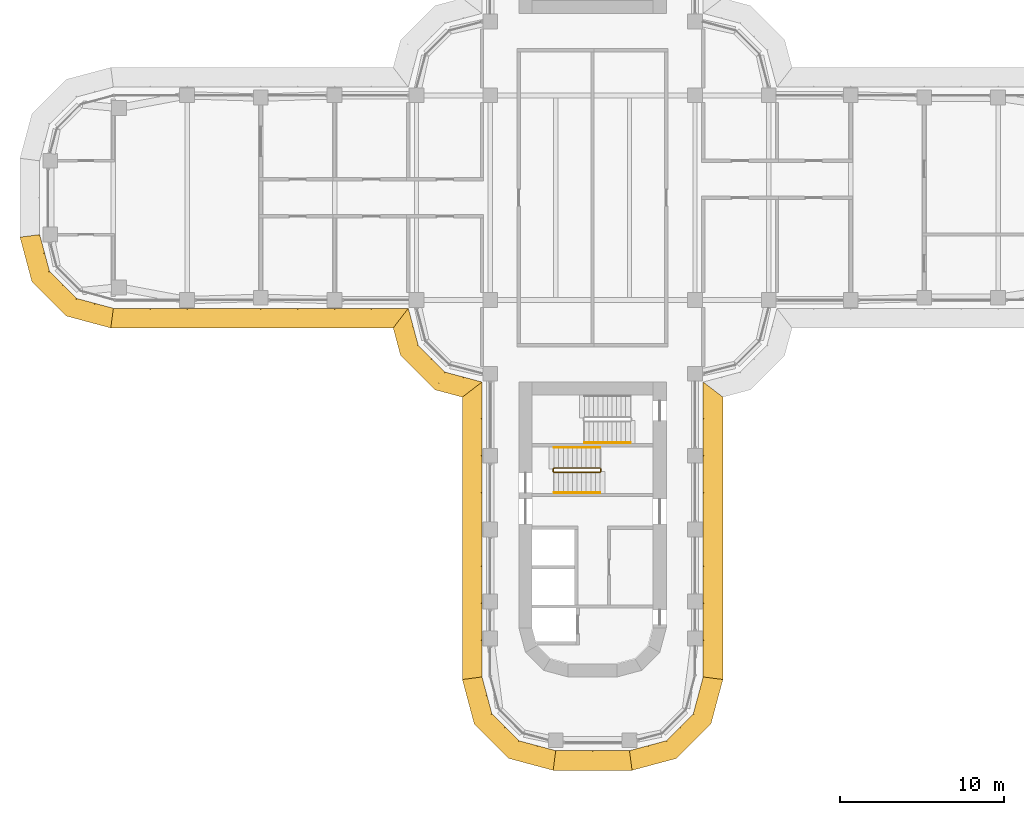
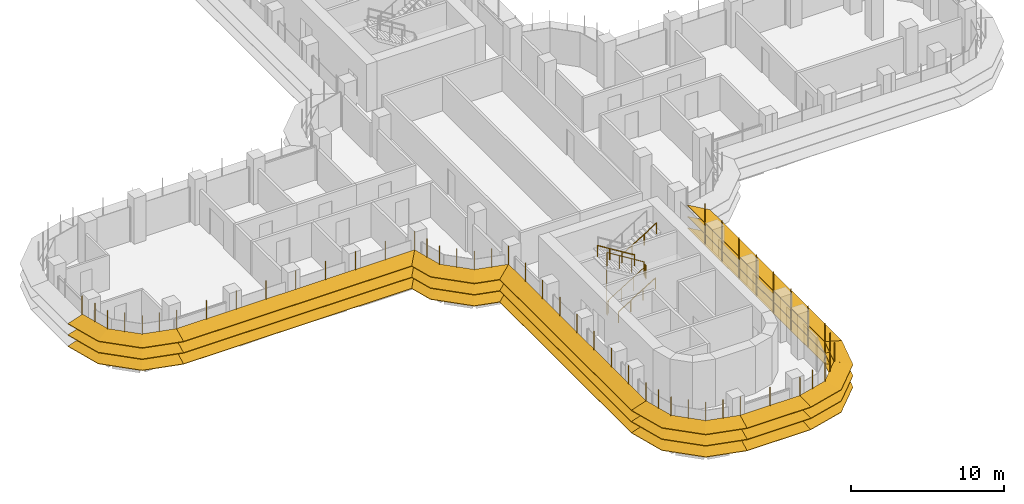
# One storey, part 20 of 23: 8 shading devices, 4 railings.
"""IFC4 building model written with IfcOpenShell, lengths in metres."""

from ifc_helpers import new_model, si_unit, direction, frame, origin, origin_2d, place, context, subcontext, project, spatial, polyline, circle, outline, extrude, faceted_brep, source, transform, mapped, material, type_object, element, save


model = new_model("IFC4")

# Units and contexts
model_context = context("Model", 3, precision=1e-05, world=origin(), true_north=direction((0.0, 1.0)))
body_context = subcontext(model_context, "Body", "Model", "MODEL_VIEW")
ifc_project = project(units=[si_unit("LENGTHUNIT", "METRE"), si_unit("AREAUNIT", "SQUARE_METRE"), si_unit("VOLUMEUNIT", "CUBIC_METRE"), si_unit("PLANEANGLEUNIT", "RADIAN"), si_unit("MASSUNIT", "GRAM", prefix="KILO")], contexts=[model_context])

# Site, building, storey
site_placement = place(None, origin())
site = spatial("IfcSite", under=ifc_project, at=site_placement, CompositionType="ELEMENT")
building_placement = place(site_placement, origin())
building = spatial("IfcBuilding", under=site, at=building_placement, Name="Zarbagh Exchange Tower", CompositionType="ELEMENT")
storey_placement = place(building_placement, frame((0.0, 0.0, 90.39990234375)))
storey = spatial("IfcBuildingStorey", under=building, at=storey_placement, Name="L20", CompositionType="ELEMENT", Elevation=90.39990234375)

# Railings
ifc_material_1 = material(Name="Stainless steel", Category="steel")
railing_type_1 = type_object("IfcRailingType", Name="Stair guard 1100 mm", PredefinedType="GUARDRAIL", material=ifc_material_1)
railing_1_placement = place(storey_placement, frame((0.449951171875, -16.5, 2.07275390625)))
element("IfcRailing", 1, at=railing_1_placement, inside=storey, type_object=railing_type_1, Name="ST3 stair guard 1", PredefinedType="GUARDRAIL", context=body_context, shape_type="SweptSolid", body=[
    extrude(circle(Radius=0.02392578125, at=origin_2d()), frame((0.0, 0.0, 1.076171875), z_axis=(-0.851089632645, 0.0, 0.525020415988), x_axis=(0.0, -1.0, 0.0)), (0.0, 0.0, 1.0), 3.2900390625),
    extrude(circle(Radius=0.02392578125, at=origin_2d()), frame((-2.800048828125, 0.0, 2.80322265625), z_axis=(-0.013104066473, -0.013168302093, -0.99982742474), x_axis=(0.708833529934, -0.705375805398, 0.0)), (0.0, 0.0, 1.0), 3.80078125),
    extrude(circle(Radius=0.02392578125, at=origin_2d()), frame((-2.849853515625, -0.050048828125, -0.99658203125), z_axis=(0.0, -1.0, 0.0), x_axis=(1.0, 0.0, 0.0)), (0.0, 0.0, 1.0), 0.14990234375),
    extrude(circle(Radius=0.02392578125, at=origin_2d()), frame((-2.849853515625, -0.199951171875, -0.99658203125), z_axis=(0.266739603011, -0.268047150085, 0.925743328097), x_axis=(0.708833529934, 0.705375805398, 0.0)), (0.0, 0.0, 1.0), 0.186767578125),
    extrude(circle(Radius=0.02392578125, at=origin_2d()), frame((-2.800048828125, -0.25, -0.82373046875), z_axis=(0.851089632645, 0.0, 0.525020415988), x_axis=(0.0, 1.0, 0.0)), (0.0, 0.0, 1.0), 3.2900390625),
    extrude(circle(Radius=0.02392578125, at=origin_2d()), frame((0.0, -0.25, 0.9033203125), z_axis=(0.707106781187, 0.707106781187, 0.0), x_axis=(-0.707106781187, 0.707106781187, 0.0)), (0.0, 0.0, 1.0), 0.07080078125),
    extrude(circle(Radius=0.02392578125, at=origin_2d()), frame((0.050048828125, -0.199951171875, 0.9033203125), z_axis=(0.0, 1.0, 0.0), x_axis=(-1.0, 0.0, 0.0)), (0.0, 0.0, 1.0), 0.14990234375),
    extrude(circle(Radius=0.02099609375, at=origin_2d()), origin(), (0.0, 0.0, 1.0), 1.052001953125),
    extrude(circle(Radius=0.02099609375, at=origin_2d()), frame((-0.933349609375, 0.0, 0.57568359375)), (0.0, 0.0, 1.0), 1.052001953125),
    extrude(circle(Radius=0.02099609375, at=origin_2d()), frame((-1.86669921875, 0.0, 1.151611328125)), (0.0, 0.0, 1.0), 1.052001953125),
    extrude(circle(Radius=0.02099609375, at=origin_2d()), frame((-2.800048828125, 0.0, 1.727294921875)), (0.0, 0.0, 1.0), 1.052001953125),
    extrude(circle(Radius=0.02099609375, at=origin_2d()), frame((-2.8125, -0.012451171875, 0.77734375)), (0.0, 0.0, 1.0), 1.052001953125),
    extrude(circle(Radius=0.02099609375, at=origin_2d()), frame((-2.824951171875, -0.02490234375, -0.1728515625)), (0.0, 0.0, 1.0), 1.052001953125),
    extrude(circle(Radius=0.02099609375, at=origin_2d()), frame((-2.83740234375, -0.03759765625, -1.122802734375)), (0.0, 0.0, 1.0), 1.052001953125),
    extrude(circle(Radius=0.02099609375, at=origin_2d()), frame((-2.849853515625, -0.050048828125, -2.07275390625)), (0.0, 0.0, 1.0), 1.052001953125),
    extrude(circle(Radius=0.02099609375, at=origin_2d()), frame((-2.849853515625, -0.199951171875, -2.07275390625)), (0.0, 0.0, 1.0), 1.052001953125),
    extrude(circle(Radius=0.02099609375, at=origin_2d()), frame((-2.800048828125, -0.25, -1.89990234375)), (0.0, 0.0, 1.0), 1.052001953125),
    extrude(circle(Radius=0.02099609375, at=origin_2d()), frame((-1.86669921875, -0.25, -1.32421875)), (0.0, 0.0, 1.0), 1.052001953125),
    extrude(circle(Radius=0.02099609375, at=origin_2d()), frame((-0.933349609375, -0.25, -0.748291015625)), (0.0, 0.0, 1.0), 1.052001953125),
    extrude(circle(Radius=0.02099609375, at=origin_2d()), frame((0.0, -0.25, -0.172607421875)), (0.0, 0.0, 1.0), 1.052001953125),
    extrude(circle(Radius=0.02099609375, at=origin_2d()), frame((0.050048828125, -0.199951171875, -0.172607421875)), (0.0, 0.0, 1.0), 1.052001953125),
    extrude(circle(Radius=0.02099609375, at=origin_2d()), frame((0.050048828125, -0.050048828125, -0.172607421875)), (0.0, 0.0, 1.0), 1.052001953125),
])
railing_type_2 = type_object("IfcRailingType", Name="Stair handrail 900 mm", PredefinedType="HANDRAIL", material=ifc_material_1)
railing_2_placement = place(storey_placement, frame((-2.35009765625, -18.0, 0.1728515625)))
element("IfcRailing", 2, at=railing_2_placement, inside=storey, type_object=railing_type_2, Name="ST3 stair handrail 1", PredefinedType="HANDRAIL", context=body_context, shape_type="SweptSolid", body=[
    extrude(circle(Radius=0.02392578125, at=origin_2d()), frame((0.0, 0.0, 0.8759765625), z_axis=(0.851089632645, 0.0, 0.525020415988), x_axis=(0.0, 1.0, 0.0)), (0.0, 0.0, 1.0), 3.2900390625),
    extrude(circle(Radius=0.02099609375, at=origin_2d()), origin(), (0.0, 0.0, 1.0), 0.851806640625),
    extrude(circle(Radius=0.02099609375, at=origin_2d()), frame((0.933349609375, 0.0, 0.57568359375)), (0.0, 0.0, 1.0), 0.851806640625),
    extrude(circle(Radius=0.02099609375, at=origin_2d()), frame((1.86669921875, 0.0, 1.151611328125)), (0.0, 0.0, 1.0), 0.851806640625),
    extrude(circle(Radius=0.02099609375, at=origin_2d()), frame((2.800048828125, 0.0, 1.727294921875)), (0.0, 0.0, 1.0), 0.851806640625),
])
railing_3_placement = place(storey_placement, frame((0.449951171875, -15.25, 2.07275390625)))
element("IfcRailing", 3, at=railing_3_placement, inside=storey, type_object=railing_type_2, Name="ST3 stair handrail 2", PredefinedType="HANDRAIL", context=body_context, shape_type="SweptSolid", body=[
    extrude(circle(Radius=0.02392578125, at=origin_2d()), frame((0.0, 0.0, 0.8759765625), z_axis=(-0.851089632645, 0.0, 0.525020415988), x_axis=(0.0, -1.0, 0.0)), (0.0, 0.0, 1.0), 3.2900390625),
    extrude(circle(Radius=0.02099609375, at=origin_2d()), origin(), (0.0, 0.0, 1.0), 0.851806640625),
    extrude(circle(Radius=0.02099609375, at=origin_2d()), frame((-0.933349609375, 0.0, 0.57568359375)), (0.0, 0.0, 1.0), 0.851806640625),
    extrude(circle(Radius=0.02099609375, at=origin_2d()), frame((-1.86669921875, 0.0, 1.151611328125)), (0.0, 0.0, 1.0), 0.851806640625),
    extrude(circle(Radius=0.02099609375, at=origin_2d()), frame((-2.800048828125, 0.0, 1.727294921875)), (0.0, 0.0, 1.0), 0.851806640625),
])
railing_4_placement = place(storey_placement, frame((-0.5, -14.949951171875, 2.07275390625)))
element("IfcRailing", 4, at=railing_4_placement, inside=storey, type_object=railing_type_2, Name="ST4 stair handrail 2", PredefinedType="HANDRAIL", context=body_context, shape_type="SweptSolid", body=[
    extrude(circle(Radius=0.02392578125, at=origin_2d()), frame((0.0, 0.0, 0.8759765625), z_axis=(0.851089632645, 0.0, 0.525020415988), x_axis=(0.0, 1.0, 0.0)), (0.0, 0.0, 1.0), 3.2900390625),
    extrude(circle(Radius=0.02099609375, at=origin_2d()), origin(), (0.0, 0.0, 1.0), 0.851806640625),
    extrude(circle(Radius=0.02099609375, at=origin_2d()), frame((0.933349609375, 0.0, 0.57568359375)), (0.0, 0.0, 1.0), 0.851806640625),
    extrude(circle(Radius=0.02099609375, at=origin_2d()), frame((1.86669921875, 0.0, 1.151611328125)), (0.0, 0.0, 1.0), 0.851806640625),
    extrude(circle(Radius=0.02099609375, at=origin_2d()), frame((2.800048828125, 0.0, 1.727294921875)), (0.0, 0.0, 1.0), 0.851806640625),
])

# Shading devices
ifc_material_2 = material(Name="Anodised aluminium blades and brackets", Category="aluminium")
shading_device_type = type_object("IfcShadingDeviceType", Name="SUNSHADE louvre band, 11.25 degree blades", PredefinedType="JALOUSIE", material=ifc_material_2)
shared_shape_1 = source(origin(), body_context, "Body", "Brep", [
    faceted_brep([(0.0, 0.0, 0.0), (0.0, 0.0, -0.040771484375), (-0.157958984375, -1.199951171875, -0.279541015625), (-0.157958984375, -1.199951171875, -0.23876953125), (2.65087890625, -1.199951171875, -0.23876953125), (2.65087890625, -1.199951171875, -0.279541015625), (2.329345703125, 0.0, -0.040771484375), (2.329345703125, 0.0, 0.0)], [[[0, 1, 2, 3]], [[4, 5, 6, 7]], [[0, 7, 6, 1]], [[1, 6, 5, 2]], [[2, 5, 4, 3]], [[3, 4, 7, 0]]]),
])
shared_shape_2 = source(origin(), body_context, "Body", "Brep", [
    faceted_brep([(0.0, 0.0, 0.0), (0.0, 0.0, -0.040771484375), (-0.321533203125, -1.199951171875, -0.279541015625), (-0.321533203125, -1.199951171875, -0.23876953125), (2.65087890625, -1.199951171875, -0.23876953125), (2.65087890625, -1.199951171875, -0.279541015625), (2.329345703125, 0.0, -0.040771484375), (2.329345703125, 0.0, 0.0)], [[[0, 1, 2, 3]], [[4, 5, 6, 7]], [[0, 7, 6, 1]], [[1, 6, 5, 2]], [[2, 5, 4, 3]], [[3, 4, 7, 0]]]),
])
shared_shape_3 = source(origin(), body_context, "Body", "Brep", [
    faceted_brep([(0.0, 0.0, 0.0), (0.0, 0.0, -0.040771484375), (-0.321533203125, -1.199951171875, -0.279541015625), (-0.321533203125, -1.199951171875, -0.23876953125), (2.4873046875, -1.199951171875, -0.23876953125), (2.4873046875, -1.199951171875, -0.279541015625), (2.329345703125, 0.0, -0.040771484375), (2.329345703125, 0.0, 0.0)], [[[0, 1, 2, 3]], [[4, 5, 6, 7]], [[0, 7, 6, 1]], [[1, 6, 5, 2]], [[2, 5, 4, 3]], [[3, 4, 7, 0]]]),
])
shared_shape_4 = source(origin(), body_context, "Body", "SweptSolid", [
    extrude(outline(polyline([(0.0, -0.012451171875), (0.06005859375, -0.012451171875), (0.06005859375, 0.012451171875), (0.0, 0.012451171875), (0.0, -0.012451171875)])), origin(), (0.0, 0.0, 1.0), 3.350830078125),
])
placement = place(storey_placement, origin())
element("IfcShadingDevice", 5, at=placement, inside=storey, type_object=shading_device_type, Name="SS01 sunshade band", PredefinedType="JALOUSIE", context=body_context, shape_type="MappedRepresentation", body=[
    mapped(shared_shape_1, transform((2.25, -33.75, 2.300048828125), x_axis=(0.965924289636, 0.258824779902, 0.0), y_axis=(-0.258824779902, 0.965924289636, 0.0), z_axis=(0.0, 0.0, 1.0))),
    mapped(shared_shape_1, transform((2.25, -33.75, 1.400146484375), x_axis=(0.965924289636, 0.258824779902, 0.0), y_axis=(-0.258824779902, 0.965924289636, 0.0), z_axis=(0.0, 0.0, 1.0))),
    mapped(shared_shape_1, transform((2.25, -33.75, 0.5), x_axis=(0.965924289636, 0.258824779902, 0.0), y_axis=(-0.258824779902, 0.965924289636, 0.0), z_axis=(0.0, 0.0, 1.0))),
    mapped(shared_shape_2, transform((4.5, -33.147216796875, 2.300048828125), x_axis=(0.707106781187, 0.707106781187, 0.0), y_axis=(-0.707106781187, 0.707106781187, 0.0), z_axis=(0.0, 0.0, 1.0))),
    mapped(shared_shape_2, transform((4.5, -33.147216796875, 1.400146484375), x_axis=(0.707106781187, 0.707106781187, 0.0), y_axis=(-0.707106781187, 0.707106781187, 0.0), z_axis=(0.0, 0.0, 1.0))),
    mapped(shared_shape_2, transform((4.5, -33.147216796875, 0.5), x_axis=(0.707106781187, 0.707106781187, 0.0), y_axis=(-0.707106781187, 0.707106781187, 0.0), z_axis=(0.0, 0.0, 1.0))),
    mapped(shared_shape_3, transform((6.147216796875, -31.5, 2.300048828125), x_axis=(0.258824779902, 0.965924289636, 0.0), y_axis=(-0.965924289636, 0.258824779902, 0.0), z_axis=(0.0, 0.0, 1.0))),
    mapped(shared_shape_3, transform((6.147216796875, -31.5, 1.400146484375), x_axis=(0.258824779902, 0.965924289636, 0.0), y_axis=(-0.965924289636, 0.258824779902, 0.0), z_axis=(0.0, 0.0, 1.0))),
    mapped(shared_shape_3, transform((6.147216796875, -31.5, 0.5), x_axis=(0.258824779902, 0.965924289636, 0.0), y_axis=(-0.965924289636, 0.258824779902, 0.0), z_axis=(0.0, 0.0, 1.0))),
    mapped(shared_shape_4, transform((2.25, -33.75, 0.42919921875), x_axis=(0.130529263012, -0.991444457092, 0.0), y_axis=(0.991444457092, 0.130529263012, 0.0), z_axis=(0.0, 0.0, 1.0))),
    mapped(shared_shape_4, transform((3.375, -33.448486328125, 0.42919921875), x_axis=(0.258825058029, -0.96592421511, 0.0), y_axis=(0.96592421511, 0.258825058029, 0.0), z_axis=(0.0, 0.0, 1.0))),
    mapped(shared_shape_4, transform((4.5, -33.147216796875, 0.42919921875), x_axis=(0.50000275701, -0.866023812018, 0.0), y_axis=(0.866023812018, 0.50000275701, 0.0), z_axis=(0.0, 0.0, 1.0))),
    mapped(shared_shape_4, transform((5.323486328125, -32.323486328125, 0.42919921875), x_axis=(0.707106781187, -0.707106781187, 0.0), y_axis=(0.707106781187, 0.707106781187, 0.0), z_axis=(0.0, 0.0, 1.0))),
    mapped(shared_shape_4, transform((6.147216796875, -31.5, 0.42919921875), x_axis=(0.866023812018, -0.50000275701, 0.0), y_axis=(0.50000275701, 0.866023812018, 0.0), z_axis=(0.0, 0.0, 1.0))),
    mapped(shared_shape_4, transform((6.448486328125, -30.375, 0.42919921875), x_axis=(0.96592421511, -0.258825058029, 0.0), y_axis=(0.258825058029, 0.96592421511, 0.0), z_axis=(0.0, 0.0, 1.0))),
])
element("IfcShadingDevice", 6, at=placement, inside=storey, type_object=shading_device_type, Name="SS19 sunshade band", PredefinedType="JALOUSIE", context=body_context, shape_type="MappedRepresentation", body=[
    mapped(shared_shape_1, transform((-33.75, -2.25, 2.300048828125), x_axis=(0.258824779902, -0.965924289636, 0.0), y_axis=(0.965924289636, 0.258824779902, 0.0), z_axis=(0.0, 0.0, 1.0))),
    mapped(shared_shape_1, transform((-33.75, -2.25, 1.400146484375), x_axis=(0.258824779902, -0.965924289636, 0.0), y_axis=(0.965924289636, 0.258824779902, 0.0), z_axis=(0.0, 0.0, 1.0))),
    mapped(shared_shape_1, transform((-33.75, -2.25, 0.5), x_axis=(0.258824779902, -0.965924289636, 0.0), y_axis=(0.965924289636, 0.258824779902, 0.0), z_axis=(0.0, 0.0, 1.0))),
    mapped(shared_shape_2, transform((-33.147216796875, -4.5, 2.300048828125), x_axis=(0.707106781187, -0.707106781187, 0.0), y_axis=(0.707106781187, 0.707106781187, 0.0), z_axis=(0.0, 0.0, 1.0))),
    mapped(shared_shape_2, transform((-33.147216796875, -4.5, 1.400146484375), x_axis=(0.707106781187, -0.707106781187, 0.0), y_axis=(0.707106781187, 0.707106781187, 0.0), z_axis=(0.0, 0.0, 1.0))),
    mapped(shared_shape_2, transform((-33.147216796875, -4.5, 0.5), x_axis=(0.707106781187, -0.707106781187, 0.0), y_axis=(0.707106781187, 0.707106781187, 0.0), z_axis=(0.0, 0.0, 1.0))),
    mapped(shared_shape_3, transform((-31.5, -6.147216796875, 2.300048828125), x_axis=(0.965924289636, -0.258824779902, 0.0), y_axis=(0.258824779902, 0.965924289636, 0.0), z_axis=(0.0, 0.0, 1.0))),
    mapped(shared_shape_3, transform((-31.5, -6.147216796875, 1.400146484375), x_axis=(0.965924289636, -0.258824779902, 0.0), y_axis=(0.258824779902, 0.965924289636, 0.0), z_axis=(0.0, 0.0, 1.0))),
    mapped(shared_shape_3, transform((-31.5, -6.147216796875, 0.5), x_axis=(0.965924289636, -0.258824779902, 0.0), y_axis=(0.258824779902, 0.965924289636, 0.0), z_axis=(0.0, 0.0, 1.0))),
    mapped(shared_shape_4, transform((-33.75, -2.25, 0.42919921875), x_axis=(-0.991444457092, -0.130529263012, 0.0), y_axis=(0.130529263012, -0.991444457092, 0.0), z_axis=(0.0, 0.0, 1.0))),
    mapped(shared_shape_4, transform((-33.448486328125, -3.375, 0.42919921875), x_axis=(-0.96592421511, -0.258825058029, 0.0), y_axis=(0.258825058029, -0.96592421511, 0.0), z_axis=(0.0, 0.0, 1.0))),
    mapped(shared_shape_4, transform((-33.147216796875, -4.5, 0.42919921875), x_axis=(-0.866023812018, -0.50000275701, 0.0), y_axis=(0.50000275701, -0.866023812018, 0.0), z_axis=(0.0, 0.0, 1.0))),
    mapped(shared_shape_4, transform((-32.323486328125, -5.323486328125, 0.42919921875), x_axis=(-0.707106781187, -0.707106781187, 0.0), y_axis=(0.707106781187, -0.707106781187, 0.0), z_axis=(0.0, 0.0, 1.0))),
    mapped(shared_shape_4, transform((-31.5, -6.147216796875, 0.42919921875), x_axis=(-0.50000275701, -0.866023812018, 0.0), y_axis=(0.866023812018, -0.50000275701, 0.0), z_axis=(0.0, 0.0, 1.0))),
    mapped(shared_shape_4, transform((-30.375, -6.448486328125, 0.42919921875), x_axis=(-0.258825058029, -0.96592421511, 0.0), y_axis=(0.96592421511, -0.258825058029, 0.0), z_axis=(0.0, 0.0, 1.0))),
])
element("IfcShadingDevice", 7, at=placement, inside=storey, type_object=shading_device_type, Name="SS23 sunshade band", PredefinedType="JALOUSIE", context=body_context, shape_type="MappedRepresentation", body=[
    mapped(shared_shape_1, transform((-6.75, -29.25, 2.300048828125), x_axis=(0.258824779902, -0.965924289636, 0.0), y_axis=(0.965924289636, 0.258824779902, 0.0), z_axis=(0.0, 0.0, 1.0))),
    mapped(shared_shape_1, transform((-6.75, -29.25, 1.400146484375), x_axis=(0.258824779902, -0.965924289636, 0.0), y_axis=(0.965924289636, 0.258824779902, 0.0), z_axis=(0.0, 0.0, 1.0))),
    mapped(shared_shape_1, transform((-6.75, -29.25, 0.5), x_axis=(0.258824779902, -0.965924289636, 0.0), y_axis=(0.965924289636, 0.258824779902, 0.0), z_axis=(0.0, 0.0, 1.0))),
    mapped(shared_shape_2, transform((-6.147216796875, -31.5, 2.300048828125), x_axis=(0.707106781187, -0.707106781187, 0.0), y_axis=(0.707106781187, 0.707106781187, 0.0), z_axis=(0.0, 0.0, 1.0))),
    mapped(shared_shape_2, transform((-6.147216796875, -31.5, 1.400146484375), x_axis=(0.707106781187, -0.707106781187, 0.0), y_axis=(0.707106781187, 0.707106781187, 0.0), z_axis=(0.0, 0.0, 1.0))),
    mapped(shared_shape_2, transform((-6.147216796875, -31.5, 0.5), x_axis=(0.707106781187, -0.707106781187, 0.0), y_axis=(0.707106781187, 0.707106781187, 0.0), z_axis=(0.0, 0.0, 1.0))),
    mapped(shared_shape_3, transform((-4.5, -33.147216796875, 2.300048828125), x_axis=(0.965924289636, -0.258824779902, 0.0), y_axis=(0.258824779902, 0.965924289636, 0.0), z_axis=(0.0, 0.0, 1.0))),
    mapped(shared_shape_3, transform((-4.5, -33.147216796875, 1.400146484375), x_axis=(0.965924289636, -0.258824779902, 0.0), y_axis=(0.258824779902, 0.965924289636, 0.0), z_axis=(0.0, 0.0, 1.0))),
    mapped(shared_shape_3, transform((-4.5, -33.147216796875, 0.5), x_axis=(0.965924289636, -0.258824779902, 0.0), y_axis=(0.258824779902, 0.965924289636, 0.0), z_axis=(0.0, 0.0, 1.0))),
    mapped(shared_shape_4, transform((-6.75, -29.25, 0.42919921875), x_axis=(-0.991444457092, -0.130529263012, 0.0), y_axis=(0.130529263012, -0.991444457092, 0.0), z_axis=(0.0, 0.0, 1.0))),
    mapped(shared_shape_4, transform((-6.448486328125, -30.375, 0.42919921875), x_axis=(-0.96592421511, -0.258825058029, 0.0), y_axis=(0.258825058029, -0.96592421511, 0.0), z_axis=(0.0, 0.0, 1.0))),
    mapped(shared_shape_4, transform((-6.147216796875, -31.5, 0.42919921875), x_axis=(-0.866023812018, -0.50000275701, 0.0), y_axis=(0.50000275701, -0.866023812018, 0.0), z_axis=(0.0, 0.0, 1.0))),
    mapped(shared_shape_4, transform((-5.323486328125, -32.323486328125, 0.42919921875), x_axis=(-0.707106781187, -0.707106781187, 0.0), y_axis=(0.707106781187, -0.707106781187, 0.0), z_axis=(0.0, 0.0, 1.0))),
    mapped(shared_shape_4, transform((-4.5, -33.147216796875, 0.42919921875), x_axis=(-0.50000275701, -0.866023812018, 0.0), y_axis=(0.866023812018, -0.50000275701, 0.0), z_axis=(0.0, 0.0, 1.0))),
    mapped(shared_shape_4, transform((-3.375, -33.448486328125, 0.42919921875), x_axis=(-0.258825058029, -0.96592421511, 0.0), y_axis=(0.96592421511, -0.258825058029, 0.0), z_axis=(0.0, 0.0, 1.0))),
])
shared_shape_5 = source(origin(), body_context, "Body", "Brep", [
    faceted_brep([(0.0, 0.0, 0.0), (0.0, 0.0, -0.040771484375), (0.9208984375, -1.199951171875, -0.279541015625), (0.9208984375, -1.199951171875, -0.23876953125), (2.65087890625, -1.199951171875, -0.23876953125), (2.65087890625, -1.199951171875, -0.279541015625), (2.329345703125, 0.0, -0.040771484375), (2.329345703125, 0.0, 0.0)], [[[0, 1, 2, 3]], [[4, 5, 6, 7]], [[0, 7, 6, 1]], [[1, 6, 5, 2]], [[2, 5, 4, 3]], [[3, 4, 7, 0]]]),
])
shared_shape_6 = source(origin(), body_context, "Body", "Brep", [
    faceted_brep([(0.0, 0.0, 0.0), (0.0, 0.0, -0.040771484375), (-0.321533203125, -1.199951171875, -0.279541015625), (-0.321533203125, -1.199951171875, -0.23876953125), (1.40869140625, -1.199951171875, -0.23876953125), (1.40869140625, -1.199951171875, -0.279541015625), (2.329345703125, 0.0, -0.040771484375), (2.329345703125, 0.0, 0.0)], [[[0, 1, 2, 3]], [[4, 5, 6, 7]], [[0, 7, 6, 1]], [[1, 6, 5, 2]], [[2, 5, 4, 3]], [[3, 4, 7, 0]]]),
])
element("IfcShadingDevice", 8, at=placement, inside=storey, type_object=shading_device_type, Name="SS21 sunshade band", PredefinedType="JALOUSIE", context=body_context, shape_type="MappedRepresentation", body=[
    mapped(shared_shape_5, transform((-11.25, -6.75, 2.300048828125), x_axis=(0.258824779902, -0.965924289636, 0.0), y_axis=(0.965924289636, 0.258824779902, 0.0), z_axis=(0.0, 0.0, 1.0))),
    mapped(shared_shape_5, transform((-11.25, -6.75, 1.400146484375), x_axis=(0.258824779902, -0.965924289636, 0.0), y_axis=(0.965924289636, 0.258824779902, 0.0), z_axis=(0.0, 0.0, 1.0))),
    mapped(shared_shape_5, transform((-11.25, -6.75, 0.5), x_axis=(0.258824779902, -0.965924289636, 0.0), y_axis=(0.965924289636, 0.258824779902, 0.0), z_axis=(0.0, 0.0, 1.0))),
    mapped(shared_shape_2, transform((-10.647216796875, -9.0, 2.300048828125), x_axis=(0.707106781187, -0.707106781187, 0.0), y_axis=(0.707106781187, 0.707106781187, 0.0), z_axis=(0.0, 0.0, 1.0))),
    mapped(shared_shape_2, transform((-10.647216796875, -9.0, 1.400146484375), x_axis=(0.707106781187, -0.707106781187, 0.0), y_axis=(0.707106781187, 0.707106781187, 0.0), z_axis=(0.0, 0.0, 1.0))),
    mapped(shared_shape_2, transform((-10.647216796875, -9.0, 0.5), x_axis=(0.707106781187, -0.707106781187, 0.0), y_axis=(0.707106781187, 0.707106781187, 0.0), z_axis=(0.0, 0.0, 1.0))),
    mapped(shared_shape_6, transform((-9.0, -10.647216796875, 2.300048828125), x_axis=(0.965924289636, -0.258824779902, 0.0), y_axis=(0.258824779902, 0.965924289636, 0.0), z_axis=(0.0, 0.0, 1.0))),
    mapped(shared_shape_6, transform((-9.0, -10.647216796875, 1.400146484375), x_axis=(0.965924289636, -0.258824779902, 0.0), y_axis=(0.258824779902, 0.965924289636, 0.0), z_axis=(0.0, 0.0, 1.0))),
    mapped(shared_shape_6, transform((-9.0, -10.647216796875, 0.5), x_axis=(0.965924289636, -0.258824779902, 0.0), y_axis=(0.258824779902, 0.965924289636, 0.0), z_axis=(0.0, 0.0, 1.0))),
    mapped(shared_shape_4, transform((-11.25, -6.75, 0.42919921875), x_axis=(-0.608758892, -0.793355287, 0.0), y_axis=(0.793355287, -0.608758892, 0.0), z_axis=(0.0, 0.0, 1.0))),
    mapped(shared_shape_4, transform((-10.948486328125, -7.875, 0.42919921875), x_axis=(-0.96592421511, -0.258825058029, 0.0), y_axis=(0.258825058029, -0.96592421511, 0.0), z_axis=(0.0, 0.0, 1.0))),
    mapped(shared_shape_4, transform((-10.647216796875, -9.0, 0.42919921875), x_axis=(-0.866023812018, -0.50000275701, 0.0), y_axis=(0.50000275701, -0.866023812018, 0.0), z_axis=(0.0, 0.0, 1.0))),
    mapped(shared_shape_4, transform((-9.823486328125, -9.823486328125, 0.42919921875), x_axis=(-0.707106781187, -0.707106781187, 0.0), y_axis=(0.707106781187, -0.707106781187, 0.0), z_axis=(0.0, 0.0, 1.0))),
    mapped(shared_shape_4, transform((-9.0, -10.647216796875, 0.42919921875), x_axis=(-0.50000275701, -0.866023812018, 0.0), y_axis=(0.866023812018, -0.50000275701, 0.0), z_axis=(0.0, 0.0, 1.0))),
    mapped(shared_shape_4, transform((-7.875, -10.948486328125, 0.42919921875), x_axis=(-0.258825058029, -0.96592421511, 0.0), y_axis=(0.96592421511, -0.258825058029, 0.0), z_axis=(0.0, 0.0, 1.0))),
])
shared_shape_7 = source(origin(), body_context, "Body", "Brep", [
    faceted_brep([(0.0, 0.0, 0.0), (0.0, 0.0, -0.040771484375), (-0.157958984375, -1.199951171875, -0.279541015625), (-0.157958984375, -1.199951171875, -0.23876953125), (17.0791015625, -1.199951171875, -0.23876953125), (17.0791015625, -1.199951171875, -0.279541015625), (18.0, 0.0, -0.040771484375), (18.0, 0.0, 0.0)], [[[0, 1, 2, 3]], [[4, 5, 6, 7]], [[0, 7, 6, 1]], [[1, 6, 5, 2]], [[2, 5, 4, 3]], [[3, 4, 7, 0]]]),
])
element("IfcShadingDevice", 9, at=placement, inside=storey, type_object=shading_device_type, Name="SS02 sunshade band", PredefinedType="JALOUSIE", context=body_context, shape_type="MappedRepresentation", body=[
    mapped(shared_shape_7, transform((6.75, -29.25, 2.300048828125), x_axis=(0.0, 1.0, 0.0), y_axis=(-1.0, 0.0, 0.0), z_axis=(0.0, 0.0, 1.0))),
    mapped(shared_shape_7, transform((6.75, -29.25, 1.400146484375), x_axis=(0.0, 1.0, 0.0), y_axis=(-1.0, 0.0, 0.0), z_axis=(0.0, 0.0, 1.0))),
    mapped(shared_shape_7, transform((6.75, -29.25, 0.5), x_axis=(0.0, 1.0, 0.0), y_axis=(-1.0, 0.0, 0.0), z_axis=(0.0, 0.0, 1.0))),
    mapped(shared_shape_4, transform((6.75, -29.25, 0.42919921875), x_axis=(0.991444457092, -0.130529263012, 0.0), y_axis=(0.130529263012, 0.991444457092, 0.0), z_axis=(0.0, 0.0, 1.0))),
    mapped(shared_shape_4, transform((6.75, -27.0, 0.42919921875), x_axis=(1.0, 0.0, 0.0), y_axis=(0.0, 1.0, 0.0), z_axis=(0.0, 0.0, 1.0))),
    mapped(shared_shape_4, transform((6.75, -24.75, 0.42919921875), x_axis=(1.0, 0.0, 0.0), y_axis=(0.0, 1.0, 0.0), z_axis=(0.0, 0.0, 1.0))),
    mapped(shared_shape_4, transform((6.75, -22.5, 0.42919921875), x_axis=(1.0, 0.0, 0.0), y_axis=(0.0, 1.0, 0.0), z_axis=(0.0, 0.0, 1.0))),
    mapped(shared_shape_4, transform((6.75, -20.25, 0.42919921875), x_axis=(1.0, 0.0, 0.0), y_axis=(0.0, 1.0, 0.0), z_axis=(0.0, 0.0, 1.0))),
    mapped(shared_shape_4, transform((6.75, -18.0, 0.42919921875), x_axis=(1.0, 0.0, 0.0), y_axis=(0.0, 1.0, 0.0), z_axis=(0.0, 0.0, 1.0))),
    mapped(shared_shape_4, transform((6.75, -15.75, 0.42919921875), x_axis=(1.0, 0.0, 0.0), y_axis=(0.0, 1.0, 0.0), z_axis=(0.0, 0.0, 1.0))),
    mapped(shared_shape_4, transform((6.75, -13.5, 0.42919921875), x_axis=(1.0, 0.0, 0.0), y_axis=(0.0, 1.0, 0.0), z_axis=(0.0, 0.0, 1.0))),
])
element("IfcShadingDevice", 10, at=placement, inside=storey, type_object=shading_device_type, Name="SS20 sunshade band", PredefinedType="JALOUSIE", context=body_context, shape_type="MappedRepresentation", body=[
    mapped(shared_shape_7, transform((-29.25, -6.75, 2.300048828125), x_axis=(1.0, 0.0, 0.0), y_axis=(0.0, 1.0, 0.0), z_axis=(0.0, 0.0, 1.0))),
    mapped(shared_shape_7, transform((-29.25, -6.75, 1.400146484375), x_axis=(1.0, 0.0, 0.0), y_axis=(0.0, 1.0, 0.0), z_axis=(0.0, 0.0, 1.0))),
    mapped(shared_shape_7, transform((-29.25, -6.75, 0.5), x_axis=(1.0, 0.0, 0.0), y_axis=(0.0, 1.0, 0.0), z_axis=(0.0, 0.0, 1.0))),
    mapped(shared_shape_4, transform((-29.25, -6.75, 0.42919921875), x_axis=(-0.130529263012, -0.991444457092, 0.0), y_axis=(0.991444457092, -0.130529263012, 0.0), z_axis=(0.0, 0.0, 1.0))),
    mapped(shared_shape_4, transform((-27.0, -6.75, 0.42919921875), x_axis=(0.0, -1.0, 0.0), y_axis=(1.0, 0.0, 0.0), z_axis=(0.0, 0.0, 1.0))),
    mapped(shared_shape_4, transform((-24.75, -6.75, 0.42919921875), x_axis=(0.0, -1.0, 0.0), y_axis=(1.0, 0.0, 0.0), z_axis=(0.0, 0.0, 1.0))),
    mapped(shared_shape_4, transform((-22.5, -6.75, 0.42919921875), x_axis=(0.0, -1.0, 0.0), y_axis=(1.0, 0.0, 0.0), z_axis=(0.0, 0.0, 1.0))),
    mapped(shared_shape_4, transform((-20.25, -6.75, 0.42919921875), x_axis=(0.0, -1.0, 0.0), y_axis=(1.0, 0.0, 0.0), z_axis=(0.0, 0.0, 1.0))),
    mapped(shared_shape_4, transform((-18.0, -6.75, 0.42919921875), x_axis=(0.0, -1.0, 0.0), y_axis=(1.0, 0.0, 0.0), z_axis=(0.0, 0.0, 1.0))),
    mapped(shared_shape_4, transform((-15.75, -6.75, 0.42919921875), x_axis=(0.0, -1.0, 0.0), y_axis=(1.0, 0.0, 0.0), z_axis=(0.0, 0.0, 1.0))),
    mapped(shared_shape_4, transform((-13.5, -6.75, 0.42919921875), x_axis=(0.0, -1.0, 0.0), y_axis=(1.0, 0.0, 0.0), z_axis=(0.0, 0.0, 1.0))),
])
shared_shape_8 = source(origin(), body_context, "Body", "Brep", [
    faceted_brep([(0.0, 0.0, 0.0), (0.0, 0.0, -0.040771484375), (0.9208984375, -1.199951171875, -0.279541015625), (0.9208984375, -1.199951171875, -0.23876953125), (18.157958984375, -1.199951171875, -0.23876953125), (18.157958984375, -1.199951171875, -0.279541015625), (18.0, 0.0, -0.040771484375), (18.0, 0.0, 0.0)], [[[0, 1, 2, 3]], [[4, 5, 6, 7]], [[0, 7, 6, 1]], [[1, 6, 5, 2]], [[2, 5, 4, 3]], [[3, 4, 7, 0]]]),
])
element("IfcShadingDevice", 11, at=placement, inside=storey, type_object=shading_device_type, Name="SS22 sunshade band", PredefinedType="JALOUSIE", context=body_context, shape_type="MappedRepresentation", body=[
    mapped(shared_shape_8, transform((-6.75, -11.25, 2.300048828125), x_axis=(0.0, -1.0, 0.0), y_axis=(1.0, 0.0, 0.0), z_axis=(0.0, 0.0, 1.0))),
    mapped(shared_shape_8, transform((-6.75, -11.25, 1.400146484375), x_axis=(0.0, -1.0, 0.0), y_axis=(1.0, 0.0, 0.0), z_axis=(0.0, 0.0, 1.0))),
    mapped(shared_shape_8, transform((-6.75, -11.25, 0.5), x_axis=(0.0, -1.0, 0.0), y_axis=(1.0, 0.0, 0.0), z_axis=(0.0, 0.0, 1.0))),
    mapped(shared_shape_4, transform((-6.75, -11.25, 0.42919921875), x_axis=(-0.793355287, -0.608758892, 0.0), y_axis=(0.608758892, -0.793355287, 0.0), z_axis=(0.0, 0.0, 1.0))),
    mapped(shared_shape_4, transform((-6.75, -13.5, 0.42919921875), x_axis=(-1.0, 0.0, 0.0), y_axis=(0.0, -1.0, 0.0), z_axis=(0.0, 0.0, 1.0))),
    mapped(shared_shape_4, transform((-6.75, -15.75, 0.42919921875), x_axis=(-1.0, 0.0, 0.0), y_axis=(0.0, -1.0, 0.0), z_axis=(0.0, 0.0, 1.0))),
    mapped(shared_shape_4, transform((-6.75, -18.0, 0.42919921875), x_axis=(-1.0, 0.0, 0.0), y_axis=(0.0, -1.0, 0.0), z_axis=(0.0, 0.0, 1.0))),
    mapped(shared_shape_4, transform((-6.75, -20.25, 0.42919921875), x_axis=(-1.0, 0.0, 0.0), y_axis=(0.0, -1.0, 0.0), z_axis=(0.0, 0.0, 1.0))),
    mapped(shared_shape_4, transform((-6.75, -22.5, 0.42919921875), x_axis=(-1.0, 0.0, 0.0), y_axis=(0.0, -1.0, 0.0), z_axis=(0.0, 0.0, 1.0))),
    mapped(shared_shape_4, transform((-6.75, -24.75, 0.42919921875), x_axis=(-1.0, 0.0, 0.0), y_axis=(0.0, -1.0, 0.0), z_axis=(0.0, 0.0, 1.0))),
    mapped(shared_shape_4, transform((-6.75, -27.0, 0.42919921875), x_axis=(-1.0, 0.0, 0.0), y_axis=(0.0, -1.0, 0.0), z_axis=(0.0, 0.0, 1.0))),
])
shared_shape_9 = source(origin(), body_context, "Body", "Brep", [
    faceted_brep([(0.0, 0.0, 0.0), (0.0, 0.0, -0.040771484375), (-0.157958984375, -1.199951171875, -0.279541015625), (-0.157958984375, -1.199951171875, -0.23876953125), (4.657958984375, -1.199951171875, -0.23876953125), (4.657958984375, -1.199951171875, -0.279541015625), (4.5, 0.0, -0.040771484375), (4.5, 0.0, 0.0)], [[[0, 1, 2, 3]], [[4, 5, 6, 7]], [[0, 7, 6, 1]], [[1, 6, 5, 2]], [[2, 5, 4, 3]], [[3, 4, 7, 0]]]),
])
element("IfcShadingDevice", 12, at=placement, inside=storey, type_object=shading_device_type, Name="SS24 sunshade band", PredefinedType="JALOUSIE", context=body_context, shape_type="MappedRepresentation", body=[
    mapped(shared_shape_9, transform((-2.25, -33.75, 2.300048828125), x_axis=(1.0, 0.0, 0.0), y_axis=(0.0, 1.0, 0.0), z_axis=(0.0, 0.0, 1.0))),
    mapped(shared_shape_9, transform((-2.25, -33.75, 1.400146484375), x_axis=(1.0, 0.0, 0.0), y_axis=(0.0, 1.0, 0.0), z_axis=(0.0, 0.0, 1.0))),
    mapped(shared_shape_9, transform((-2.25, -33.75, 0.5), x_axis=(1.0, 0.0, 0.0), y_axis=(0.0, 1.0, 0.0), z_axis=(0.0, 0.0, 1.0))),
    mapped(shared_shape_4, transform((-2.25, -33.75, 0.42919921875), x_axis=(-0.130529263012, -0.991444457092, 0.0), y_axis=(0.991444457092, -0.130529263012, 0.0), z_axis=(0.0, 0.0, 1.0))),
    mapped(shared_shape_4, transform((0.0, -33.75, 0.42919921875), x_axis=(0.0, -1.0, 0.0), y_axis=(1.0, 0.0, 0.0), z_axis=(0.0, 0.0, 1.0))),
])

save(model, "model.ifc")
